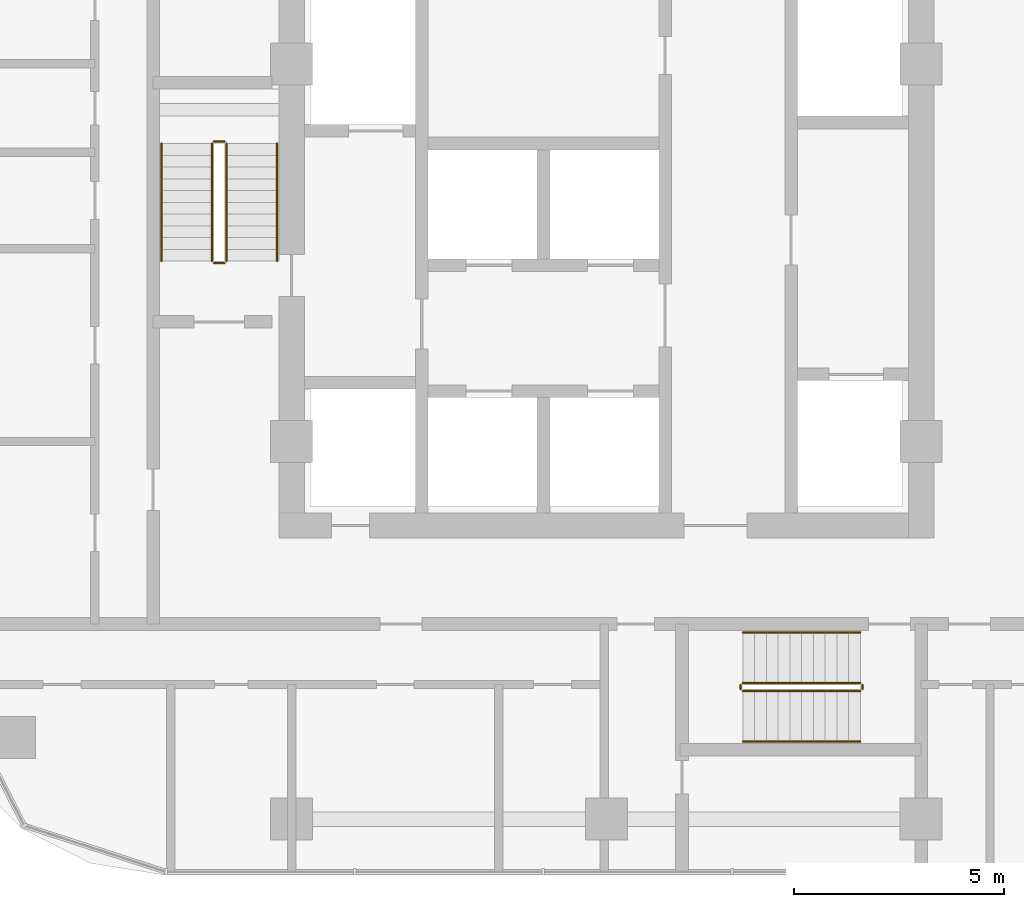
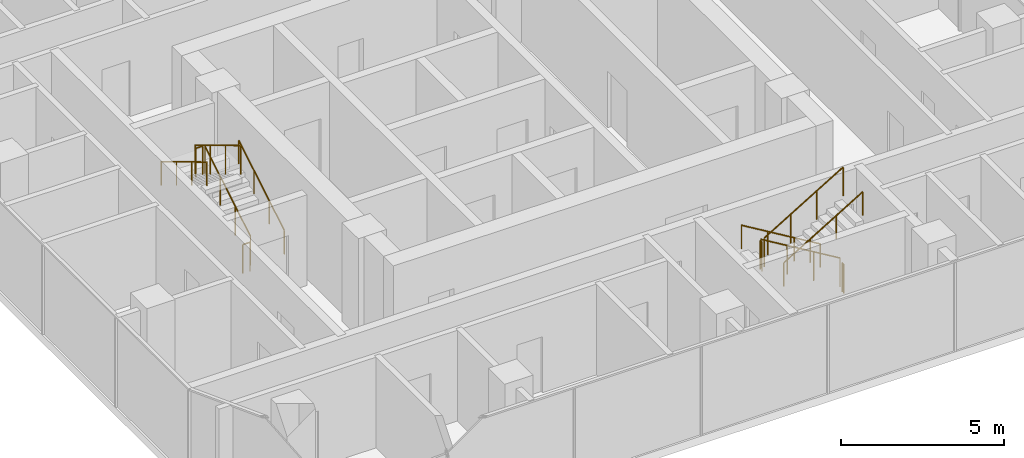
# One storey, part 36 of 36: 12 railings.
"""IFC4 building model written with IfcOpenShell, lengths in metres."""

from ifc_helpers import new_model, si_unit, direction, frame, origin, origin_2d, place, context, subcontext, project, spatial, circle, extrude, material, type_object, element, save


model = new_model("IFC4")

# Units and contexts
model_context = context("Model", 3, precision=1e-05, world=origin(), true_north=direction((0.0, 1.0)))
body_context = subcontext(model_context, "Body", "Model", "MODEL_VIEW")
ifc_project = project(units=[si_unit("LENGTHUNIT", "METRE"), si_unit("AREAUNIT", "SQUARE_METRE"), si_unit("VOLUMEUNIT", "CUBIC_METRE"), si_unit("PLANEANGLEUNIT", "RADIAN"), si_unit("MASSUNIT", "GRAM", prefix="KILO")], contexts=[model_context])

# Site, building, storey
site_placement = place(None, origin())
site = spatial("IfcSite", under=ifc_project, at=site_placement, CompositionType="ELEMENT")
building_placement = place(site_placement, origin())
building = spatial("IfcBuilding", under=site, at=building_placement, Name="Ogive Portal Towers", CompositionType="ELEMENT")
storey_placement = place(building_placement, frame((0.0, 0.0, 48.300048828125)))
storey = spatial("IfcBuildingStorey", under=building, at=storey_placement, Name="L10", CompositionType="ELEMENT", Elevation=48.300048828125)

# Railings
ifc_material_1 = material(Name="Stainless steel balustrade", Category="steel")
railing_type_1 = type_object("IfcRailingType", Name="INT-GUARD", PredefinedType="GUARDRAIL", material=ifc_material_1)
railing_1_placement = place(storey_placement, frame((127.449951171875, 30.800048828125, 0.168212890625)))
element("IfcRailing", 1, at=railing_1_placement, inside=storey, type_object=railing_type_1, Name="L10 ST-B1 stair guard 1", PredefinedType="GUARDRAIL", context=body_context, shape_type="SweptSolid", body=[
    extrude(circle(Radius=0.02392578125, at=origin_2d()), frame((0.0, 0.0, 1.076171875), z_axis=(0.0, 0.857275202839, 0.514858452973), x_axis=(-1.0, 0.0, 0.0)), (0.0, 0.0, 1.0), 3.26611328125),
    extrude(circle(Radius=0.02099609375, at=origin_2d()), origin(), (0.0, 0.0, 1.0), 1.052001953125),
    extrude(circle(Radius=0.02099609375, at=origin_2d()), frame((0.0, 0.933349609375, 0.560546875)), (0.0, 0.0, 1.0), 1.052001953125),
    extrude(circle(Radius=0.02099609375, at=origin_2d()), frame((0.0, 1.86669921875, 1.12109375)), (0.0, 0.0, 1.0), 1.052001953125),
    extrude(circle(Radius=0.02099609375, at=origin_2d()), frame((0.0, 2.800048828125, 1.681640625)), (0.0, 0.0, 1.0), 1.052001953125),
])
railing_2_placement = place(storey_placement, frame((127.39990234375, 33.64990234375, 1.849853515625)))
element("IfcRailing", 2, at=railing_2_placement, inside=storey, type_object=railing_type_1, Name="L10 ST-B1 stair guard 2", PredefinedType="GUARDRAIL", context=body_context, shape_type="SweptSolid", body=[
    extrude(circle(Radius=0.02392578125, at=origin_2d()), frame((0.0, 0.0, 1.076171875), z_axis=(-1.0, 0.0, 0.0), x_axis=(0.0, -1.0, 0.0)), (0.0, 0.0, 1.0), 0.25),
    extrude(circle(Radius=0.02099609375, at=origin_2d()), origin(), (0.0, 0.0, 1.0), 1.052001953125),
    extrude(circle(Radius=0.02099609375, at=origin_2d()), frame((-0.25, 0.0, 0.0)), (0.0, 0.0, 1.0), 1.052001953125),
])
railing_3_placement = place(storey_placement, frame((127.10009765625, 33.60009765625, 2.01806640625)))
element("IfcRailing", 3, at=railing_3_placement, inside=storey, type_object=railing_type_1, Name="L10 ST-B1 stair guard 3", PredefinedType="GUARDRAIL", context=body_context, shape_type="SweptSolid", body=[
    extrude(circle(Radius=0.02392578125, at=origin_2d()), frame((0.0, 0.0, 1.076171875), z_axis=(0.0, -0.857242210791, 0.514913383045), x_axis=(1.0, 0.0, 0.0)), (0.0, 0.0, 1.0), 3.266357421875),
    extrude(circle(Radius=0.02099609375, at=origin_2d()), origin(), (0.0, 0.0, 1.0), 1.052001953125),
    extrude(circle(Radius=0.02099609375, at=origin_2d()), frame((0.0, -0.933349609375, 0.560546875)), (0.0, 0.0, 1.0), 1.052001953125),
    extrude(circle(Radius=0.02099609375, at=origin_2d()), frame((0.0, -1.86669921875, 1.121337890625)), (0.0, 0.0, 1.0), 1.052001953125),
    extrude(circle(Radius=0.02099609375, at=origin_2d()), frame((0.0, -2.800048828125, 1.681884765625)), (0.0, 0.0, 1.0), 1.052001953125),
])
railing_4_placement = place(storey_placement, frame((127.39990234375, 30.75, 0.0)))
element("IfcRailing", 4, at=railing_4_placement, inside=storey, type_object=railing_type_1, Name="L10 ST-B1 stair guard 4", PredefinedType="GUARDRAIL", context=body_context, shape_type="SweptSolid", body=[
    extrude(circle(Radius=0.02392578125, at=origin_2d()), frame((0.0, 0.0, 1.076171875), z_axis=(-1.0, 0.0, 0.0), x_axis=(0.0, -1.0, 0.0)), (0.0, 0.0, 1.0), 0.25),
    extrude(circle(Radius=0.02099609375, at=origin_2d()), origin(), (0.0, 0.0, 1.0), 1.052001953125),
    extrude(circle(Radius=0.02099609375, at=origin_2d()), frame((-0.25, 0.0, 0.0)), (0.0, 0.0, 1.0), 1.052001953125),
])
railing_5_placement = place(storey_placement, frame((142.550048828125, 20.75, 0.168212890625)))
element("IfcRailing", 5, at=railing_5_placement, inside=storey, type_object=railing_type_1, Name="L10 ST-B2 stair guard 1", PredefinedType="GUARDRAIL", context=body_context, shape_type="SweptSolid", body=[
    extrude(circle(Radius=0.02392578125, at=origin_2d()), frame((0.0, 0.0, 1.076171875), z_axis=(-0.857275202839, 0.0, 0.514858452973), x_axis=(0.0, -1.0, 0.0)), (0.0, 0.0, 1.0), 3.26611328125),
    extrude(circle(Radius=0.02099609375, at=origin_2d()), origin(), (0.0, 0.0, 1.0), 1.052001953125),
    extrude(circle(Radius=0.02099609375, at=origin_2d()), frame((-0.933349609375, 0.0, 0.560546875)), (0.0, 0.0, 1.0), 1.052001953125),
    extrude(circle(Radius=0.02099609375, at=origin_2d()), frame((-1.86669921875, 0.0, 1.12109375)), (0.0, 0.0, 1.0), 1.052001953125),
    extrude(circle(Radius=0.02099609375, at=origin_2d()), frame((-2.800048828125, 0.0, 1.681640625)), (0.0, 0.0, 1.0), 1.052001953125),
])
railing_6_placement = place(storey_placement, frame((139.699951171875, 20.699951171875, 1.849853515625)))
element("IfcRailing", 6, at=railing_6_placement, inside=storey, type_object=railing_type_1, Name="L10 ST-B2 stair guard 2", PredefinedType="GUARDRAIL", context=body_context, shape_type="SweptSolid", body=[
    extrude(circle(Radius=0.02392578125, at=origin_2d()), frame((0.0, 0.0, 1.076171875), z_axis=(0.0, -1.0, 0.0), x_axis=(1.0, 0.0, 0.0)), (0.0, 0.0, 1.0), 0.099853515625),
    extrude(circle(Radius=0.02099609375, at=origin_2d()), origin(), (0.0, 0.0, 1.0), 1.052001953125),
    extrude(circle(Radius=0.02099609375, at=origin_2d()), frame((0.0, -0.099853515625, 0.0)), (0.0, 0.0, 1.0), 1.052001953125),
])
railing_7_placement = place(storey_placement, frame((139.75, 20.550048828125, 2.01806640625)))
element("IfcRailing", 7, at=railing_7_placement, inside=storey, type_object=railing_type_1, Name="L10 ST-B2 stair guard 3", PredefinedType="GUARDRAIL", context=body_context, shape_type="SweptSolid", body=[
    extrude(circle(Radius=0.02392578125, at=origin_2d()), frame((0.0, 0.0, 1.076171875), z_axis=(0.857242210791, 0.0, 0.514913383045), x_axis=(0.0, 1.0, 0.0)), (0.0, 0.0, 1.0), 3.266357421875),
    extrude(circle(Radius=0.02099609375, at=origin_2d()), origin(), (0.0, 0.0, 1.0), 1.052001953125),
    extrude(circle(Radius=0.02099609375, at=origin_2d()), frame((0.933349609375, 0.0, 0.560546875)), (0.0, 0.0, 1.0), 1.052001953125),
    extrude(circle(Radius=0.02099609375, at=origin_2d()), frame((1.86669921875, 0.0, 1.121337890625)), (0.0, 0.0, 1.0), 1.052001953125),
    extrude(circle(Radius=0.02099609375, at=origin_2d()), frame((2.800048828125, 0.0, 1.681884765625)), (0.0, 0.0, 1.0), 1.052001953125),
])
railing_8_placement = place(storey_placement, frame((142.60009765625, 20.699951171875, 0.0)))
element("IfcRailing", 8, at=railing_8_placement, inside=storey, type_object=railing_type_1, Name="L10 ST-B2 stair guard 4", PredefinedType="GUARDRAIL", context=body_context, shape_type="SweptSolid", body=[
    extrude(circle(Radius=0.02392578125, at=origin_2d()), frame((0.0, 0.0, 1.076171875), z_axis=(0.0, -1.0, 0.0), x_axis=(1.0, 0.0, 0.0)), (0.0, 0.0, 1.0), 0.099853515625),
    extrude(circle(Radius=0.02099609375, at=origin_2d()), origin(), (0.0, 0.0, 1.0), 1.052001953125),
    extrude(circle(Radius=0.02099609375, at=origin_2d()), frame((0.0, -0.099853515625, 0.0)), (0.0, 0.0, 1.0), 1.052001953125),
])
ifc_material_2 = material(Name="Stainless steel handrail", Category="steel")
railing_type_2 = type_object("IfcRailingType", Name="INT-HANDRAIL", PredefinedType="HANDRAIL", material=ifc_material_2)
railing_9_placement = place(storey_placement, frame((128.64990234375, 30.800048828125, 0.168212890625)))
element("IfcRailing", 9, at=railing_9_placement, inside=storey, type_object=railing_type_2, Name="L10 ST-B1 stair handrail 1", PredefinedType="HANDRAIL", context=body_context, shape_type="SweptSolid", body=[
    extrude(circle(Radius=0.02392578125, at=origin_2d()), frame((0.0, 0.0, 0.8759765625), z_axis=(0.0, 0.857275202839, 0.514858452973), x_axis=(-1.0, 0.0, 0.0)), (0.0, 0.0, 1.0), 3.26611328125),
    extrude(circle(Radius=0.02099609375, at=origin_2d()), origin(), (0.0, 0.0, 1.0), 0.851806640625),
    extrude(circle(Radius=0.02099609375, at=origin_2d()), frame((0.0, 0.933349609375, 0.560546875)), (0.0, 0.0, 1.0), 0.851806640625),
    extrude(circle(Radius=0.02099609375, at=origin_2d()), frame((0.0, 1.86669921875, 1.12109375)), (0.0, 0.0, 1.0), 0.851806640625),
    extrude(circle(Radius=0.02099609375, at=origin_2d()), frame((0.0, 2.800048828125, 1.681640625)), (0.0, 0.0, 1.0), 0.851806640625),
])
railing_10_placement = place(storey_placement, frame((125.89990234375, 33.60009765625, 2.01806640625)))
element("IfcRailing", 10, at=railing_10_placement, inside=storey, type_object=railing_type_2, Name="L10 ST-B1 stair handrail 2", PredefinedType="HANDRAIL", context=body_context, shape_type="SweptSolid", body=[
    extrude(circle(Radius=0.02392578125, at=origin_2d()), frame((0.0, 0.0, 0.8759765625), z_axis=(0.0, -0.857242210791, 0.514913383045), x_axis=(1.0, 0.0, 0.0)), (0.0, 0.0, 1.0), 3.266357421875),
    extrude(circle(Radius=0.02099609375, at=origin_2d()), origin(), (0.0, 0.0, 1.0), 0.851806640625),
    extrude(circle(Radius=0.02099609375, at=origin_2d()), frame((0.0, -0.933349609375, 0.560546875)), (0.0, 0.0, 1.0), 0.851806640625),
    extrude(circle(Radius=0.02099609375, at=origin_2d()), frame((0.0, -1.86669921875, 1.121337890625)), (0.0, 0.0, 1.0), 0.851806640625),
    extrude(circle(Radius=0.02099609375, at=origin_2d()), frame((0.0, -2.800048828125, 1.681884765625)), (0.0, 0.0, 1.0), 0.851806640625),
])
railing_11_placement = place(storey_placement, frame((142.550048828125, 21.949951171875, 0.168212890625)))
element("IfcRailing", 11, at=railing_11_placement, inside=storey, type_object=railing_type_2, Name="L10 ST-B2 stair handrail 1", PredefinedType="HANDRAIL", context=body_context, shape_type="SweptSolid", body=[
    extrude(circle(Radius=0.02392578125, at=origin_2d()), frame((0.0, 0.0, 0.8759765625), z_axis=(-0.857275202839, 0.0, 0.514858452973), x_axis=(0.0, -1.0, 0.0)), (0.0, 0.0, 1.0), 3.26611328125),
    extrude(circle(Radius=0.02099609375, at=origin_2d()), origin(), (0.0, 0.0, 1.0), 0.851806640625),
    extrude(circle(Radius=0.02099609375, at=origin_2d()), frame((-0.933349609375, 0.0, 0.560546875)), (0.0, 0.0, 1.0), 0.851806640625),
    extrude(circle(Radius=0.02099609375, at=origin_2d()), frame((-1.86669921875, 0.0, 1.12109375)), (0.0, 0.0, 1.0), 0.851806640625),
    extrude(circle(Radius=0.02099609375, at=origin_2d()), frame((-2.800048828125, 0.0, 1.681640625)), (0.0, 0.0, 1.0), 0.851806640625),
])
railing_12_placement = place(storey_placement, frame((139.75, 19.35009765625, 2.01806640625)))
element("IfcRailing", 12, at=railing_12_placement, inside=storey, type_object=railing_type_2, Name="L10 ST-B2 stair handrail 2", PredefinedType="HANDRAIL", context=body_context, shape_type="SweptSolid", body=[
    extrude(circle(Radius=0.02392578125, at=origin_2d()), frame((0.0, 0.0, 0.8759765625), z_axis=(0.857242210791, 0.0, 0.514913383045), x_axis=(0.0, 1.0, 0.0)), (0.0, 0.0, 1.0), 3.266357421875),
    extrude(circle(Radius=0.02099609375, at=origin_2d()), origin(), (0.0, 0.0, 1.0), 0.851806640625),
    extrude(circle(Radius=0.02099609375, at=origin_2d()), frame((0.933349609375, 0.0, 0.560546875)), (0.0, 0.0, 1.0), 0.851806640625),
    extrude(circle(Radius=0.02099609375, at=origin_2d()), frame((1.86669921875, 0.0, 1.121337890625)), (0.0, 0.0, 1.0), 0.851806640625),
    extrude(circle(Radius=0.02099609375, at=origin_2d()), frame((2.800048828125, 0.0, 1.681884765625)), (0.0, 0.0, 1.0), 0.851806640625),
])

save(model, "model.ifc")
